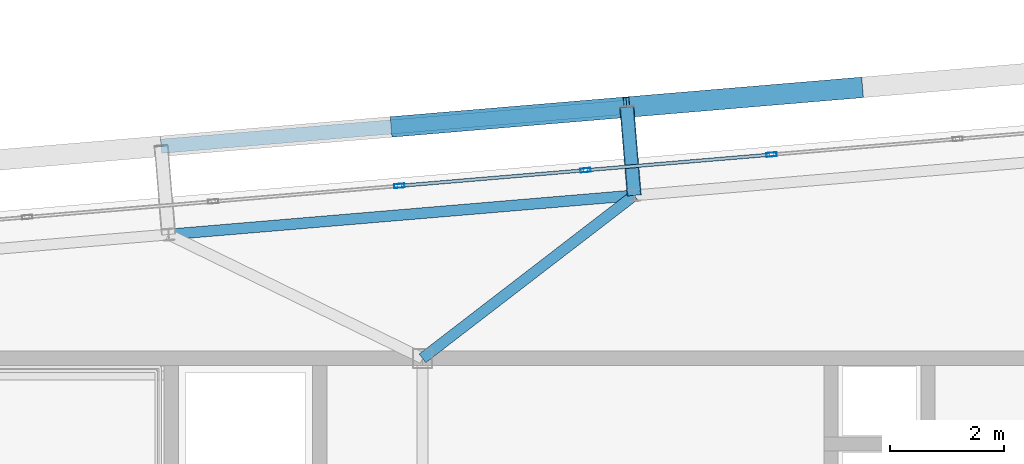
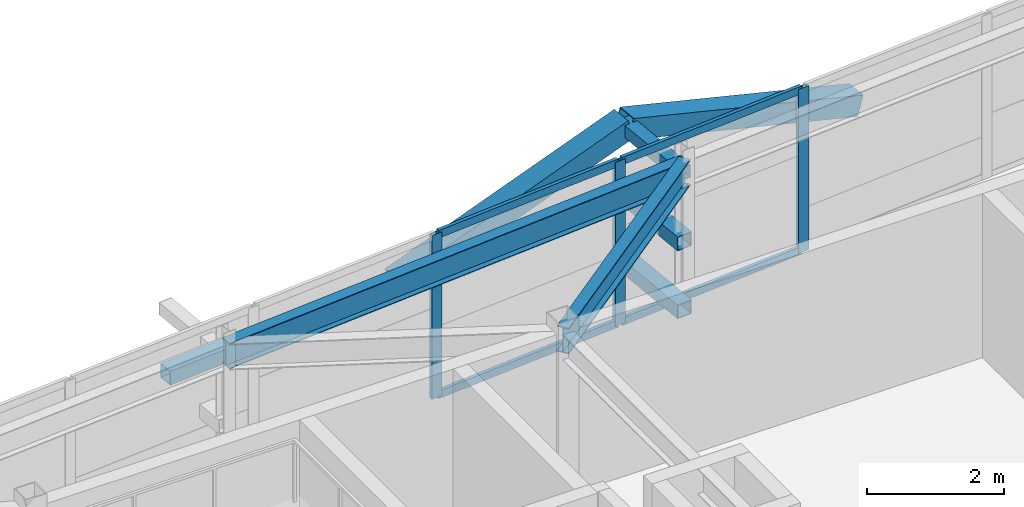
# One storey, part 28 of 46: 13 members, 2 beams, 1 element without a shape of its own.
"""IFC4 building model written with IfcOpenShell, lengths in metres."""

from ifc_helpers import new_model, si_unit, direction, frame, origin, origin_2d, place, context, subcontext, project, spatial, hollow_rectangle, i_section, extrude, source, transform, mapped, material, layer, layer_set, material_profile, profile_set, type_object, element, aggregate, save


model = new_model("IFC4")

# Units and contexts
model_context = context("Model", 3, precision=1e-05, world=origin(), true_north=direction((0.0, 1.0)))
body_context = subcontext(model_context, "Body", "Model", "MODEL_VIEW")
ifc_project = project(units=[si_unit("LENGTHUNIT", "METRE"), si_unit("AREAUNIT", "SQUARE_METRE"), si_unit("VOLUMEUNIT", "CUBIC_METRE"), si_unit("PLANEANGLEUNIT", "RADIAN"), si_unit("MASSUNIT", "GRAM", prefix="KILO")], contexts=[model_context])

# Site, building, storey
site_placement = place(None, origin())
site = spatial("IfcSite", under=ifc_project, at=site_placement, CompositionType="ELEMENT")
building_placement = place(site_placement, origin())
building = spatial("IfcBuilding", under=site, at=building_placement, Name="Taldren Reach Tower", CompositionType="ELEMENT")
storey_placement = place(building_placement, frame((0.0, 0.0, 188.300048828125)))
storey = spatial("IfcBuildingStorey", under=building, at=storey_placement, Name="L57", CompositionType="ELEMENT", Elevation=188.300048828125)

# Members
ifc_material_1 = material(Name="Steel Gr 350 (C350L0)", Category="steel")
ifc_material_profile_1 = material_profile(ifc_material_1, hollow_rectangle(XDim=0.25, YDim=0.25, WallThickness=0.010009765625, at=origin_2d()), Name="250x250x10.0SHS")
ifc_profile_set_1 = profile_set([ifc_material_profile_1], Name="Steel Gr 350 (C350L0)")
member_type_1 = type_object("IfcMemberType", Name="MB-POST250", PredefinedType="POST", material=ifc_profile_set_1)
shared_shape_1 = source(origin(), body_context, "Body", "SweptSolid", [
    extrude(hollow_rectangle(XDim=0.25, YDim=0.25, WallThickness=0.010009765625, at=origin_2d()), origin(), (0.0, 0.0, 1.0), 1.5498046875),
])
for number, where, z_axis, x_axis, name in (
    (1, (31.706298828125, 34.8525390625, 0.219970703125), (-0.083645141657, 0.996495604746, 0.0), (-0.996495604746, -0.083645141657, 0.0), "Exoskeleton base diaphragm tie strut B4-N3 L57"),
    (2, (31.706298828125, 34.8525390625, 1.43505859375), (-0.083645141657, 0.996495604746, 0.0), (-0.996495604746, -0.083645141657, 0.0), "Exoskeleton mid-tier diaphragm tie B4-N3 L57"),
):
    element("IfcMember", number, at=place(storey_placement, frame(where, z_axis=z_axis, x_axis=x_axis)), inside=storey, type_object=member_type_1, Name=name, PredefinedType="POST", context=body_context, shape_type="MappedRepresentation", body=[
        mapped(shared_shape_1, transform((0.0, 0.0, 0.0), scale=1.0)),
    ])

# Beams
ifc_material_2 = material(Name="Steel Gr 350 (350PLUS)", Category="steel")
ifc_material_profile_2 = material_profile(ifc_material_2, i_section(OverallWidth=0.18994140625, OverallDepth=0.4541015625, WebThickness=0.008544921875, FlangeThickness=0.0126953125, at=origin_2d()), Name="460UB67.1")
ifc_profile_set_2 = profile_set([ifc_material_profile_2], Name="Steel Gr 350 (350PLUS)")
beam_type_1 = type_object("IfcBeamType", Name="SP-UB460B", PredefinedType="SPANDREL", material=ifc_profile_set_2)
shared_shape_2 = source(origin(), body_context, "Body", "SweptSolid", [
    extrude(i_section(OverallWidth=0.18994140625, OverallDepth=0.4541015625, WebThickness=0.008544921875, FlangeThickness=0.0126953125, at=origin_2d()), origin(), (0.0, 0.0, 1.0), 8.179931640625),
])
beam_1_placement = place(storey_placement, frame((31.706298828125, 34.8525390625, 2.702880859375), z_axis=(-0.99649182565, -0.08369015123, 0.0), x_axis=(0.08369015123, -0.99649182565, 0.0)))
element("IfcBeam", 3, at=beam_1_placement, inside=storey, type_object=beam_type_1, Name="Perimeter spandrel B4 N3-N2 L57", PredefinedType="SPANDREL", context=body_context, shape_type="MappedRepresentation", body=[
    mapped(shared_shape_2, transform((0.0, 0.0, 0.0), scale=1.0)),
])
ifc_material_profile_3 = material_profile(ifc_material_2, i_section(OverallWidth=0.19091796875, OverallDepth=0.4599609375, WebThickness=0.010009765625, FlangeThickness=0.01611328125, at=origin_2d()), Name="460UB82.1")
ifc_profile_set_3 = profile_set([ifc_material_profile_3], Name="Steel Gr 350 (350PLUS)")
beam_type_2 = type_object("IfcBeamType", Name="BM-UB460A", PredefinedType="BEAM", material=ifc_profile_set_3)
shared_shape_3 = source(origin(), body_context, "Body", "SweptSolid", [
    extrude(i_section(OverallWidth=0.19091796875, OverallDepth=0.4599609375, WebThickness=0.010009765625, FlangeThickness=0.01611328125, at=origin_2d()), origin(), (0.0, 0.0, 1.0), 4.677001953125),
])
beam_2_placement = place(storey_placement, frame((28.0, 32.0, 2.699951171875), z_axis=(0.792464836093, 0.609917603907, 0.0), x_axis=(-0.609917603907, 0.792464836093, 0.0)))
element("IfcBeam", 4, at=beam_2_placement, inside=storey, type_object=beam_type_2, Name="Primary floor girder B4-N3 L57", PredefinedType="BEAM", context=body_context, shape_type="MappedRepresentation", body=[
    mapped(shared_shape_3, transform((0.0, 0.0, 0.0), scale=1.0)),
])

# Members
ifc_material_3 = material(Name="Steel Gr 450 (C450L0)", Category="steel")
ifc_material_profile_4 = material_profile(ifc_material_3, hollow_rectangle(XDim=0.219970703125, YDim=0.219970703125, WallThickness=0.00830078125, at=origin_2d()), Name="220x220x8.2SHS")
ifc_profile_set_4 = profile_set([ifc_material_profile_4], Name="Steel Gr 450 (C450L0)")
member_type_2 = type_object("IfcMemberType", Name="MB-TIE219", PredefinedType="STRUT", material=ifc_profile_set_4)
shared_shape_4 = source(origin(), body_context, "Body", "SweptSolid", [
    extrude(hollow_rectangle(XDim=0.219970703125, YDim=0.219970703125, WallThickness=0.00830078125, at=origin_2d()), origin(), (0.0, 0.0, 1.0), 1.5498046875),
])
member_1_placement = place(storey_placement, frame((31.706298828125, 34.8525390625, 2.64990234375), z_axis=(-0.083645141657, 0.996495604746, 0.0), x_axis=(-0.996495604746, -0.083645141657, 0.0)))
element("IfcMember", 5, at=member_1_placement, inside=storey, type_object=member_type_2, Name="Exoskeleton diaphragm tie strut B4-N3 L57", PredefinedType="STRUT", context=body_context, shape_type="MappedRepresentation", body=[
    mapped(shared_shape_4, transform((0.0, 0.0, 0.0), scale=1.0)),
])
shared_shape_5 = source(origin(), body_context, "Body", "SweptSolid", [
    extrude(hollow_rectangle(XDim=0.25, YDim=0.25, WallThickness=0.010009765625, at=origin_2d()), origin(), (0.0, 0.0, 1.0), 8.179931640625),
])
member_2_placement = place(storey_placement, frame((23.42529296875, 35.712646484375, 1.43505859375), z_axis=(0.996494523218, 0.083658025296, 0.0), x_axis=(-0.083658025296, 0.996494523218, 0.0)))
element("IfcMember", 6, at=member_2_placement, inside=storey, type_object=member_type_1, Name="Exoskeleton mid-height ring chord B4-N2 L57", PredefinedType="POST", context=body_context, shape_type="MappedRepresentation", body=[
    mapped(shared_shape_5, transform((0.0, 0.0, 0.0), scale=1.0)),
])
ifc_material_profile_5 = material_profile(ifc_material_3, hollow_rectangle(XDim=0.360107421875, YDim=0.360107421875, WallThickness=0.0126953125, at=origin_2d()), Name="360x360x12.7SHS")
ifc_profile_set_5 = profile_set([ifc_material_profile_5], Name="Steel Gr 450 (C450L0)")
member_type_3 = type_object("IfcMemberType", Name="MB-EXO356", PredefinedType="BRACE", material=ifc_profile_set_5)
shared_shape_6 = source(origin(), body_context, "Body", "SweptSolid", [
    extrude(hollow_rectangle(XDim=0.360107421875, YDim=0.360107421875, WallThickness=0.0126953125, at=origin_2d()), origin(), (0.0, 0.0, 1.0), 4.2666015625),
])
for number, where, z_axis, x_axis, name in (
    (7, (27.5009765625, 36.054931640625, 1.43505859375), (0.955249107127, 0.080166766448, 0.284732212595), (-0.083628388178, 0.996497010879, 0.0), "Exoskeleton Diagrid Brace B4-N2 L57"),
    (8, (35.65234375, 36.7392578125, 1.43505859375), (-0.955244723646, -0.080223619417, 0.284730906006), (0.083687662192, -0.996492034688, 0.0), "Exoskeleton Diagrid Brace B4-N3 L57"),
):
    element("IfcMember", number, at=place(storey_placement, frame(where, z_axis=z_axis, x_axis=x_axis)), inside=storey, type_object=member_type_3, Name=name, PredefinedType="BRACE", context=body_context, shape_type="MappedRepresentation", body=[
        mapped(shared_shape_6, transform((0.0, 0.0, 0.0), scale=1.0)),
    ])

# Curtain wall, members
ifc_material_4 = material(Name="Aluminium and Low-E Glass Unitised System", Category="aluminium")
ifc_layer = layer(ifc_material_4, 0.159912109375)
ifc_layer_set = layer_set([ifc_layer], Name="Aluminium and Low-E Glass Unitised System")
curtain_wall_type = type_object("IfcCurtainWallType", Name="CW-SYS-5", PredefinedType="NOTDEFINED", material=ifc_layer_set)
curtain_wall_placement = place(storey_placement, origin())
curtain_wall = element("IfcCurtainWall", 9, at=curtain_wall_placement, inside=storey, type_object=curtain_wall_type, Name="Unitised curtain wall CW-L57-N", PredefinedType="NOTDEFINED")
ifc_material_5 = material(Name="Anodised Aluminium 6063-T6", Category="aluminium")
ifc_material_profile_6 = material_profile(ifc_material_5, hollow_rectangle(XDim=0.070068359375, YDim=0.179931640625, WallThickness=0.00390625, at=origin_2d()), Name="ALU-180x70x4RHS")
ifc_profile_set_6 = profile_set([ifc_material_profile_6], Name="Anodised Aluminium 6063-T6")
member_type_4 = type_object("IfcMemberType", Name="CW-MUL-180", PredefinedType="MULLION", material=ifc_profile_set_6)
shared_shape_7 = source(origin(), body_context, "Body", "SweptSolid", [
    extrude(hollow_rectangle(XDim=0.070068359375, YDim=0.179931640625, WallThickness=0.00390625, at=origin_2d()), origin(), (0.0, 0.0, 1.0), 2.929931640625),
])
member_3_placement = place(storey_placement, frame((34.110595703125, 35.566162109375, 0.0), z_axis=(0.0, 0.0, 1.0), x_axis=(0.083677875247, -0.99649285657, 0.0)))
member_3 = element("IfcMember", 10, at=member_3_placement, type_object=member_type_4, Name="CW-5 mullion 8", PredefinedType="MULLION", context=body_context, shape_type="MappedRepresentation", body=[
    mapped(shared_shape_7, transform((0.0, 0.0, 0.0), scale=1.0)),
])
member_4_placement = place(storey_placement, frame((30.852783203125, 35.292724609375, 0.0), z_axis=(0.0, 0.0, 1.0), x_axis=(0.083677875247, -0.99649285657, 0.0)))
member_4 = element("IfcMember", 11, at=member_4_placement, type_object=member_type_4, Name="CW-5 mullion 9", PredefinedType="MULLION", context=body_context, shape_type="MappedRepresentation", body=[
    mapped(shared_shape_7, transform((0.0, 0.0, 0.0), scale=1.0)),
])
member_5_placement = place(storey_placement, frame((27.594970703125, 35.01904296875, 0.0), z_axis=(0.0, 0.0, 1.0), x_axis=(0.083677875247, -0.99649285657, 0.0)))
member_5 = element("IfcMember", 12, at=member_5_placement, type_object=member_type_4, Name="CW-5 mullion 10", PredefinedType="MULLION", context=body_context, shape_type="MappedRepresentation", body=[
    mapped(shared_shape_7, transform((0.0, 0.0, 0.0), scale=1.0)),
])
ifc_material_profile_7 = material_profile(ifc_material_5, hollow_rectangle(XDim=0.06005859375, YDim=0.135009765625, WallThickness=0.00341796875, at=origin_2d()), Name="ALU-135x60x3.5RHS")
ifc_profile_set_7 = profile_set([ifc_material_profile_7], Name="Anodised Aluminium 6063-T6")
member_type_5 = type_object("IfcMemberType", Name="CW-TRN-150", PredefinedType="USERDEFINED", material=ifc_profile_set_7)
shared_shape_8 = source(origin(), body_context, "Body", "SweptSolid", [
    extrude(hollow_rectangle(XDim=0.06005859375, YDim=0.135009765625, WallThickness=0.00341796875, at=origin_2d()), origin(), (0.0, 0.0, 1.0), 3.19921875),
])
member_6_placement = place(storey_placement, frame((34.07568359375, 35.563232421875, 0.030029296875), z_axis=(-0.996496109493, -0.083639128198, 0.0), x_axis=(0.083639128198, -0.996496109493, 0.0)))
member_6 = element("IfcMember", 13, at=member_6_placement, type_object=member_type_5, Name="CW-5 transom 8.1", ObjectType="TRANSOM", PredefinedType="USERDEFINED", context=body_context, shape_type="MappedRepresentation", body=[
    mapped(shared_shape_8, transform((0.0, 0.0, 0.0), scale=1.0)),
])
member_7_placement = place(storey_placement, frame((34.07568359375, 35.563232421875, 2.89990234375), z_axis=(-0.996496109493, -0.083639128198, 0.0), x_axis=(0.083639128198, -0.996496109493, 0.0)))
member_7 = element("IfcMember", 14, at=member_7_placement, type_object=member_type_5, Name="CW-5 transom 8.2", ObjectType="TRANSOM", PredefinedType="USERDEFINED", context=body_context, shape_type="MappedRepresentation", body=[
    mapped(shared_shape_8, transform((0.0, 0.0, 0.0), scale=1.0)),
])
member_8_placement = place(storey_placement, frame((30.81787109375, 35.289794921875, 0.030029296875), z_axis=(-0.996489746258, -0.083714906697, 0.0), x_axis=(0.083714906697, -0.996489746258, 0.0)))
member_8 = element("IfcMember", 15, at=member_8_placement, type_object=member_type_5, Name="CW-5 transom 9.1", ObjectType="TRANSOM", PredefinedType="USERDEFINED", context=body_context, shape_type="MappedRepresentation", body=[
    mapped(shared_shape_8, transform((0.0, 0.0, 0.0), scale=1.0)),
])
member_9_placement = place(storey_placement, frame((30.81787109375, 35.289794921875, 2.89990234375), z_axis=(-0.996489746258, -0.083714906697, 0.0), x_axis=(0.083714906697, -0.996489746258, 0.0)))
member_9 = element("IfcMember", 16, at=member_9_placement, type_object=member_type_5, Name="CW-5 transom 9.2", ObjectType="TRANSOM", PredefinedType="USERDEFINED", context=body_context, shape_type="MappedRepresentation", body=[
    mapped(shared_shape_8, transform((0.0, 0.0, 0.0), scale=1.0)),
])
aggregate(curtain_wall, [member_3, member_4, member_5, member_6, member_7, member_8, member_9])

save(model, "model.ifc")
